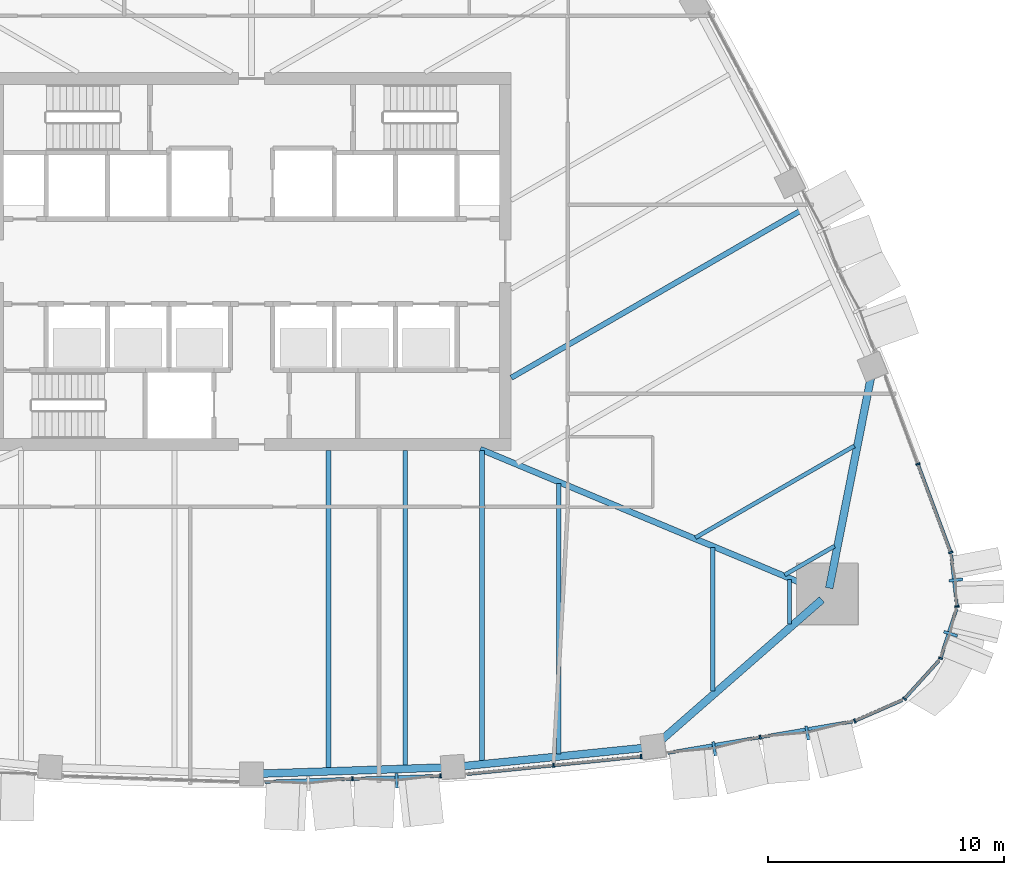
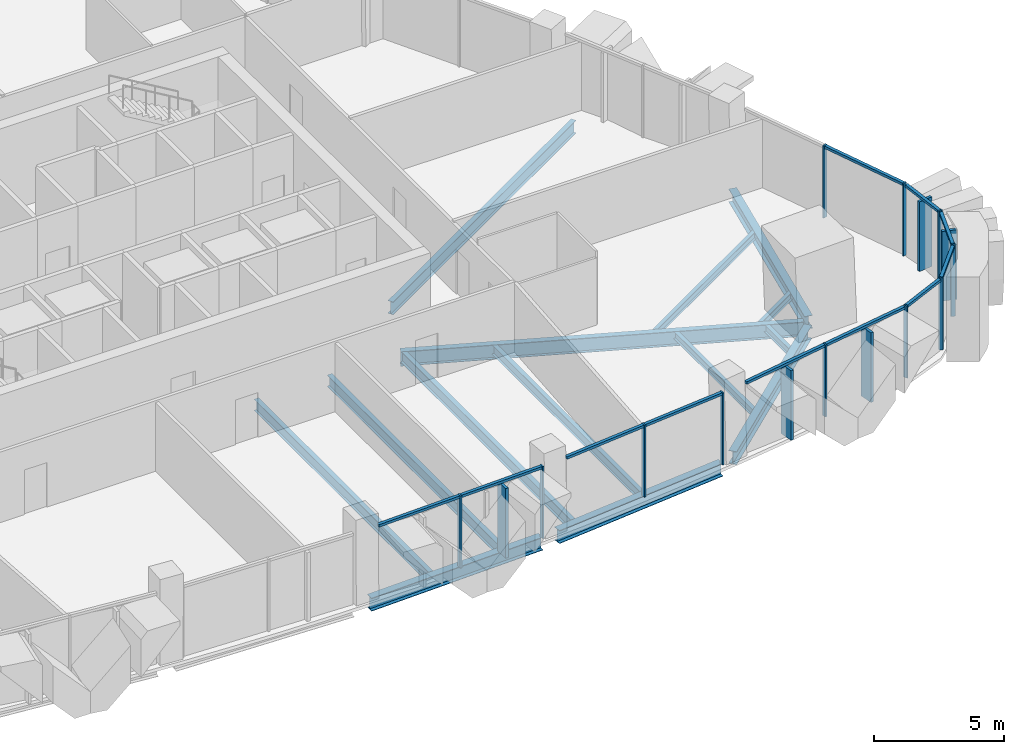
# One storey, part 4 of 17: 27 members, 14 beams, 8 elements without a shape of their own.
"""IFC4 building model written with IfcOpenShell, lengths in metres."""

from ifc_helpers import new_model, si_unit, direction, frame, origin, origin_2d, place, context, subcontext, project, spatial, rectangle, i_section, extrude, material, layer, layer_set, material_profile, profile_set, type_object, element, aggregate, save


model = new_model("IFC4")

# Units and contexts
model_context = context("Model", 3, precision=1e-05, world=origin(), true_north=direction((0.0, 1.0)))
body_context = subcontext(model_context, "Body", "Model", "MODEL_VIEW")
ifc_project = project(units=[si_unit("LENGTHUNIT", "METRE"), si_unit("AREAUNIT", "SQUARE_METRE"), si_unit("VOLUMEUNIT", "CUBIC_METRE"), si_unit("PLANEANGLEUNIT", "RADIAN"), si_unit("MASSUNIT", "GRAM", prefix="KILO")], contexts=[model_context])

# Site, building, storey
site_placement = place(None, origin())
site = spatial("IfcSite", under=ifc_project, at=site_placement, CompositionType="ELEMENT")
building_placement = place(site_placement, origin())
building = spatial("IfcBuilding", under=site, at=building_placement, Name="Sierra Prisma Convention Tower", CompositionType="ELEMENT")
storey_placement = place(building_placement, frame((0.0, 0.0, 149.800048828125)))
storey = spatial("IfcBuildingStorey", under=building, at=storey_placement, Name="L32", CompositionType="ELEMENT", Elevation=149.800048828125)

# Curtain wall, member
ifc_material_1 = material(Name="Aluminium and glass curtain wall", Category="aluminium")
ifc_layer_1 = layer(ifc_material_1, 0.179931640625)
ifc_layer_set_1 = layer_set([ifc_layer_1], Name="CW-2 Faceted crystal curtain wall")
curtain_wall_type_1 = type_object("IfcCurtainWallType", Name="CW-2 Faceted crystal curtain wall", PredefinedType="NOTDEFINED", material=ifc_layer_set_1)
curtain_wall_1_placement = place(storey_placement, origin())
curtain_wall_1 = element("IfcCurtainWall", 1, at=curtain_wall_1_placement, inside=storey, type_object=curtain_wall_type_1, Name="CW-2 S4 L32", PredefinedType="NOTDEFINED")
ifc_material_2 = material(Name="Aluminium 6063-T6 bronze anodised", Category="aluminium")
ifc_material_profile_1 = material_profile(ifc_material_2, rectangle(XDim=0.1201171875, YDim=0.60009765625, at=origin_2d()), Name="ALU RIDGE BLADE 120x600")
ifc_profile_set_1 = profile_set([ifc_material_profile_1], Name="Aluminium 6063-T6 bronze anodised")
member_type_1 = type_object("IfcMemberType", Name="CW hip bronze", PredefinedType="MULLION", material=ifc_profile_set_1)
member_1_placement = place(storey_placement, frame((6.146728515625, -21.99951171875, 0.0), z_axis=(0.0, 0.0, 1.0), x_axis=(0.999435932187, 0.033582993519, 0.0)))
member_1 = element("IfcMember", 2, at=member_1_placement, type_object=member_type_1, Name="CW-2 ridge S4.2", PredefinedType="MULLION", context=body_context, shape_type="SweptSolid", body=[
    extrude(rectangle(XDim=0.1201171875, YDim=0.60009765625, at=origin_2d()), origin(), (0.0, 0.0, 1.0), 3.280029296875),
])

# Curtain wall, members
curtain_wall_2_placement = place(storey_placement, origin())
curtain_wall_2 = element("IfcCurtainWall", 3, at=curtain_wall_2_placement, inside=storey, type_object=curtain_wall_type_1, Name="CW-2 S6 L32", PredefinedType="NOTDEFINED")
member_2_placement = place(storey_placement, frame((19.601318359375, -20.641357421875, 0.0), z_axis=(0.0, 0.0, 1.0), x_axis=(0.985930096799, 0.167158141372, 0.0)))
member_2 = element("IfcMember", 4, at=member_2_placement, type_object=member_type_1, Name="CW-2 ridge S6.1", PredefinedType="MULLION", context=body_context, shape_type="SweptSolid", body=[
    extrude(rectangle(XDim=0.1201171875, YDim=0.60009765625, at=origin_2d()), origin(), (0.0, 0.0, 1.0), 3.280029296875),
])
member_3_placement = place(storey_placement, frame((23.54150390625, -19.973388671875, 0.0), z_axis=(0.0, 0.0, 1.0), x_axis=(0.985930096799, 0.167158141372, 0.0)))
member_3 = element("IfcMember", 5, at=member_3_placement, type_object=member_type_1, Name="CW-2 ridge S6.2", PredefinedType="MULLION", context=body_context, shape_type="SweptSolid", body=[
    extrude(rectangle(XDim=0.1201171875, YDim=0.60009765625, at=origin_2d()), origin(), (0.0, 0.0, 1.0), 3.280029296875),
])

# Curtain wall, member
curtain_wall_3_placement = place(storey_placement, origin())
curtain_wall_3 = element("IfcCurtainWall", 6, at=curtain_wall_3_placement, inside=storey, type_object=curtain_wall_type_1, Name="CW-2 SE3 L32", PredefinedType="NOTDEFINED")
member_4_placement = place(storey_placement, frame((29.61279296875, -15.775146484375, 0.0), z_axis=(0.0, 0.0, 1.0), x_axis=(0.307137186872, 0.951665250201, 0.0)))
member_4 = element("IfcMember", 7, at=member_4_placement, type_object=member_type_1, Name="CW-2 ridge SE3.1", PredefinedType="MULLION", context=body_context, shape_type="SweptSolid", body=[
    extrude(rectangle(XDim=0.1201171875, YDim=0.60009765625, at=origin_2d()), origin(), (0.0, 0.0, 1.0), 3.280029296875),
])

curtain_wall_4_placement = place(storey_placement, origin())
curtain_wall_4 = element("IfcCurtainWall", 8, at=curtain_wall_4_placement, inside=storey, type_object=curtain_wall_type_1, Name="CW-2 SE4 L32", PredefinedType="NOTDEFINED")
member_5_placement = place(storey_placement, frame((29.84326171875, -13.496826171875, 0.0), z_axis=(0.0, 0.0, 1.0), x_axis=(-0.110421860265, 0.993884808605, 0.0)))
member_5 = element("IfcMember", 9, at=member_5_placement, type_object=member_type_1, Name="CW-2 ridge SE4.1", PredefinedType="MULLION", context=body_context, shape_type="SweptSolid", body=[
    extrude(rectangle(XDim=0.1201171875, YDim=0.60009765625, at=origin_2d()), origin(), (0.0, 0.0, 1.0), 3.280029296875),
])

# Member
ifc_material_3 = material(Name="Aluminium 6063-T6 bronze anodised", Category="aluminium")
ifc_material_profile_2 = material_profile(ifc_material_3, rectangle(XDim=0.179931640625, YDim=0.070068359375, at=origin_2d()), Name="ALU MULLION 70x180")
ifc_profile_set_2 = profile_set([ifc_material_profile_2], Name="Aluminium 6063-T6 bronze anodised")
member_type_2 = type_object("IfcMemberType", Name="CW mullion bronze", PredefinedType="MULLION", material=ifc_profile_set_2)
member_6_placement = place(storey_placement, frame((4.272705078125, -21.91796875, 0.0), z_axis=(0.0, 0.0, 1.0), x_axis=(-0.033582993519, 0.999435932187, 0.0)))
member_6 = element("IfcMember", 10, at=member_6_placement, type_object=member_type_2, Name="CW-1 mullion S4.2", PredefinedType="MULLION", context=body_context, shape_type="SweptSolid", body=[
    extrude(rectangle(XDim=0.179931640625, YDim=0.070068359375, at=origin_2d()), origin(), (0.0, 0.0, 1.0), 3.39990234375),
])

member_7_placement = place(storey_placement, frame((8.010986328125, -21.792236328125, 0.0), z_axis=(0.0, 0.0, 1.0), x_axis=(-0.033582993519, 0.999435932187, 0.0)))
member_7 = element("IfcMember", 11, at=member_7_placement, type_object=member_type_2, Name="CW-1 mullion S4.3", PredefinedType="MULLION", context=body_context, shape_type="SweptSolid", body=[
    extrude(rectangle(XDim=0.179931640625, YDim=0.070068359375, at=origin_2d()), origin(), (0.0, 0.0, 1.0), 3.39990234375),
])

# Curtain wall, members
ifc_material_4 = material(Name="Aluminium and glass curtain wall", Category="aluminium")
ifc_layer_2 = layer(ifc_material_4, 0.179931640625)
ifc_layer_set_2 = layer_set([ifc_layer_2], Name="CW-1 Plain shaft curtain wall")
curtain_wall_type_2 = type_object("IfcCurtainWallType", Name="CW-1 Plain shaft curtain wall", PredefinedType="NOTDEFINED", material=ifc_layer_set_2)
curtain_wall_5_placement = place(storey_placement, origin())
curtain_wall_5 = element("IfcCurtainWall", 12, at=curtain_wall_5_placement, inside=storey, type_object=curtain_wall_type_2, Name="CW-1 S5 L32", PredefinedType="NOTDEFINED")
member_8_placement = place(storey_placement, frame((12.795654296875, -21.345458984375, 0.0), z_axis=(0.0, 0.0, 1.0), x_axis=(-0.10059747863, 0.994927207032, 0.0)))
member_8 = element("IfcMember", 13, at=member_8_placement, type_object=member_type_2, Name="CW-1 mullion S5.2", PredefinedType="MULLION", context=body_context, shape_type="SweptSolid", body=[
    extrude(rectangle(XDim=0.179931640625, YDim=0.070068359375, at=origin_2d()), origin(), (0.0, 0.0, 1.0), 3.39990234375),
])
member_9_placement = place(storey_placement, frame((16.5009765625, -20.970703125, 0.0), z_axis=(0.0, 0.0, 1.0), x_axis=(-0.10059747863, 0.994927207032, 0.0)))
member_9 = element("IfcMember", 14, at=member_9_placement, type_object=member_type_2, Name="CW-1 mullion S5.3", PredefinedType="MULLION", context=body_context, shape_type="SweptSolid", body=[
    extrude(rectangle(XDim=0.179931640625, YDim=0.070068359375, at=origin_2d()), origin(), (0.0, 0.0, 1.0), 3.39990234375),
])

# Member
member_10_placement = place(storey_placement, frame((21.545654296875, -20.155029296875, 0.0), z_axis=(0.0, 0.0, 1.0), x_axis=(-0.167158141372, 0.985930096799, 0.0)))
member_10 = element("IfcMember", 15, at=member_10_placement, type_object=member_type_2, Name="CW-1 mullion S6.2", PredefinedType="MULLION", context=body_context, shape_type="SweptSolid", body=[
    extrude(rectangle(XDim=0.179931640625, YDim=0.070068359375, at=origin_2d()), origin(), (0.0, 0.0, 1.0), 3.39990234375),
])

# Curtain wall, member
curtain_wall_6_placement = place(storey_placement, origin())
curtain_wall_6 = element("IfcCurtainWall", 16, at=curtain_wall_6_placement, inside=storey, type_object=curtain_wall_type_2, Name="CW-1 SE1 L32", PredefinedType="NOTDEFINED")
member_11_placement = place(storey_placement, frame((25.552490234375, -19.467041015625, 0.0), z_axis=(0.0, 0.0, 1.0), x_axis=(-0.40131426818, 0.91594042282, 0.0)))
member_11 = element("IfcMember", 17, at=member_11_placement, type_object=member_type_2, Name="CW-1 mullion SE1.1", PredefinedType="MULLION", context=body_context, shape_type="SweptSolid", body=[
    extrude(rectangle(XDim=0.179931640625, YDim=0.070068359375, at=origin_2d()), origin(), (0.0, 0.0, 1.0), 3.39990234375),
])

curtain_wall_7_placement = place(storey_placement, origin())
curtain_wall_7 = element("IfcCurtainWall", 18, at=curtain_wall_7_placement, inside=storey, type_object=curtain_wall_type_2, Name="CW-1 SE2 L32", PredefinedType="NOTDEFINED")
member_12_placement = place(storey_placement, frame((27.6552734375, -18.530029296875, 0.0), z_axis=(0.0, 0.0, 1.0), x_axis=(-0.741821231378, 0.670597689137, 0.0)))
member_12 = element("IfcMember", 19, at=member_12_placement, type_object=member_type_2, Name="CW-1 mullion SE2.1", PredefinedType="MULLION", context=body_context, shape_type="SweptSolid", body=[
    extrude(rectangle(XDim=0.179931640625, YDim=0.070068359375, at=origin_2d()), origin(), (0.0, 0.0, 1.0), 3.39990234375),
])

# Member
member_13_placement = place(storey_placement, frame((29.1884765625, -16.8125, 0.0), z_axis=(0.0, 0.0, 1.0), x_axis=(-0.951665250201, 0.307137186872, 0.0)))
member_13 = element("IfcMember", 20, at=member_13_placement, type_object=member_type_2, Name="CW-1 mullion SE3.1", PredefinedType="MULLION", context=body_context, shape_type="SweptSolid", body=[
    extrude(rectangle(XDim=0.179931640625, YDim=0.070068359375, at=origin_2d()), origin(), (0.0, 0.0, 1.0), 3.39990234375),
])

member_14_placement = place(storey_placement, frame((29.8818359375, -14.6171875, 0.0), z_axis=(0.0, 0.0, 1.0), x_axis=(-0.993884808605, -0.110421860265, 0.0)))
member_14 = element("IfcMember", 21, at=member_14_placement, type_object=member_type_2, Name="CW-1 mullion SE4.1", PredefinedType="MULLION", context=body_context, shape_type="SweptSolid", body=[
    extrude(rectangle(XDim=0.179931640625, YDim=0.070068359375, at=origin_2d()), origin(), (0.0, 0.0, 1.0), 3.39990234375),
])

# Curtain wall, members
curtain_wall_8_placement = place(storey_placement, origin())
curtain_wall_8 = element("IfcCurtainWall", 22, at=curtain_wall_8_placement, inside=storey, type_object=curtain_wall_type_2, Name="CW-1 NE1 L32", PredefinedType="NOTDEFINED")
member_15_placement = place(storey_placement, frame((29.619140625, -12.327880859375, 0.0), z_axis=(0.0, 0.0, 1.0), x_axis=(-0.937419580869, -0.348201851522, 0.0)))
member_15 = element("IfcMember", 23, at=member_15_placement, type_object=member_type_2, Name="CW-1 mullion NE1.1", PredefinedType="MULLION", context=body_context, shape_type="SweptSolid", body=[
    extrude(rectangle(XDim=0.179931640625, YDim=0.070068359375, at=origin_2d()), origin(), (0.0, 0.0, 1.0), 3.39990234375),
])
member_16_placement = place(storey_placement, frame((28.2275390625, -8.58154296875, 0.0), z_axis=(0.0, 0.0, 1.0), x_axis=(-0.937419580869, -0.348201851522, 0.0)))
member_16 = element("IfcMember", 24, at=member_16_placement, type_object=member_type_2, Name="CW-1 mullion NE1.2", PredefinedType="MULLION", context=body_context, shape_type="SweptSolid", body=[
    extrude(rectangle(XDim=0.179931640625, YDim=0.070068359375, at=origin_2d()), origin(), (0.0, 0.0, 1.0), 3.39990234375),
])

# Member
ifc_material_5 = material(Name="Aluminium 6063-T6 bronze anodised", Category="aluminium")
ifc_material_profile_3 = material_profile(ifc_material_5, rectangle(XDim=0.139892578125, YDim=0.1201171875, at=origin_2d()), Name="ALU TRANSOM 120x140")
ifc_profile_set_3 = profile_set([ifc_material_profile_3], Name="Aluminium 6063-T6 bronze anodised")
member_type_3 = type_object("IfcMemberType", Name="CW transom bronze", PredefinedType="USERDEFINED", material=ifc_profile_set_3)
member_17_placement = place(storey_placement, frame((0.569580078125, -22.042236328125, 3.33984375), z_axis=(0.999435640252, 0.033591680421, 0.0), x_axis=(-0.033591680421, 0.999435640252, 0.0)))
member_17 = element("IfcMember", 25, at=member_17_placement, type_object=member_type_3, Name="CW-1 transom S4.1", ObjectType="TRANSOM", PredefinedType="USERDEFINED", context=body_context, shape_type="SweptSolid", body=[
    extrude(rectangle(XDim=0.139892578125, YDim=0.1201171875, at=origin_2d()), origin(), (0.0, 0.0, 1.0), 3.670166015625),
])

member_18_placement = place(storey_placement, frame((4.307861328125, -21.916748046875, 3.33984375), z_axis=(0.999435565186, 0.033593913766, 0.0), x_axis=(-0.033593913766, 0.999435565186, 0.0)))
member_18 = element("IfcMember", 26, at=member_18_placement, type_object=member_type_3, Name="CW-1 transom S4.2", ObjectType="TRANSOM", PredefinedType="USERDEFINED", context=body_context, shape_type="SweptSolid", body=[
    extrude(rectangle(XDim=0.139892578125, YDim=0.1201171875, at=origin_2d()), origin(), (0.0, 0.0, 1.0), 3.669921875),
])

aggregate(curtain_wall_1, [member_6, member_7, member_17, member_18, member_1])

member_19_placement = place(storey_placement, frame((9.125244140625, -21.716552734375, 3.33984375), z_axis=(0.994925441162, 0.100614941874, 0.0), x_axis=(-0.100614941874, 0.994925441162, 0.0)))
member_19 = element("IfcMember", 27, at=member_19_placement, type_object=member_type_3, Name="CW-1 transom S5.1", ObjectType="TRANSOM", PredefinedType="USERDEFINED", context=body_context, shape_type="SweptSolid", body=[
    extrude(rectangle(XDim=0.139892578125, YDim=0.1201171875, at=origin_2d()), origin(), (0.0, 0.0, 1.0), 3.654296875),
])

member_20_placement = place(storey_placement, frame((12.83056640625, -21.341796875, 3.33984375), z_axis=(0.994931451402, 0.100555492201, 0.0), x_axis=(-0.100555492201, 0.994931451402, 0.0)))
member_20 = element("IfcMember", 28, at=member_20_placement, type_object=member_type_3, Name="CW-1 transom S5.2", ObjectType="TRANSOM", PredefinedType="USERDEFINED", context=body_context, shape_type="SweptSolid", body=[
    extrude(rectangle(XDim=0.139892578125, YDim=0.1201171875, at=origin_2d()), origin(), (0.0, 0.0, 1.0), 3.654052734375),
])

aggregate(curtain_wall_5, [member_8, member_9, member_19, member_20])

member_21_placement = place(storey_placement, frame((17.639892578125, -20.817138671875, 3.33984375), z_axis=(0.985933000614, 0.167141013222, 0.0), x_axis=(-0.167141013222, 0.985933000614, 0.0)))
member_21 = element("IfcMember", 29, at=member_21_placement, type_object=member_type_3, Name="CW-1 transom S6.1", ObjectType="TRANSOM", PredefinedType="USERDEFINED", context=body_context, shape_type="SweptSolid", body=[
    extrude(rectangle(XDim=0.139892578125, YDim=0.1201171875, at=origin_2d()), origin(), (0.0, 0.0, 1.0), 3.92626953125),
])

member_22_placement = place(storey_placement, frame((21.580078125, -20.149169921875, 3.33984375), z_axis=(0.985924490322, 0.167191206059, 0.0), x_axis=(-0.167191206059, 0.985924490322, 0.0)))
member_22 = element("IfcMember", 30, at=member_22_placement, type_object=member_type_3, Name="CW-1 transom S6.2", ObjectType="TRANSOM", PredefinedType="USERDEFINED", context=body_context, shape_type="SweptSolid", body=[
    extrude(rectangle(XDim=0.139892578125, YDim=0.1201171875, at=origin_2d()), origin(), (0.0, 0.0, 1.0), 3.926513671875),
])

aggregate(curtain_wall_2, [member_10, member_21, member_2, member_22, member_3])

member_23_placement = place(storey_placement, frame((25.58447265625, -19.452880859375, 3.33984375), z_axis=(0.915942406451, 0.401309740805, 0.0), x_axis=(-0.401309740805, 0.915942406451, 0.0)))
member_23 = element("IfcMember", 31, at=member_23_placement, type_object=member_type_3, Name="CW-1 transom SE1.1", ObjectType="TRANSOM", PredefinedType="USERDEFINED", context=body_context, shape_type="SweptSolid", body=[
    extrude(rectangle(XDim=0.139892578125, YDim=0.1201171875, at=origin_2d()), origin(), (0.0, 0.0, 1.0), 2.1650390625),
])

aggregate(curtain_wall_6, [member_11, member_23])

member_24_placement = place(storey_placement, frame((27.6787109375, -18.50390625, 3.33984375), z_axis=(0.670638712752, 0.741784144451, 0.0), x_axis=(-0.741784144451, 0.670638712752, 0.0)))
member_24 = element("IfcMember", 32, at=member_24_placement, type_object=member_type_3, Name="CW-1 transom SE2.1", ObjectType="TRANSOM", PredefinedType="USERDEFINED", context=body_context, shape_type="SweptSolid", body=[
    extrude(rectangle(XDim=0.139892578125, YDim=0.1201171875, at=origin_2d()), origin(), (0.0, 0.0, 1.0), 2.165283203125),
])

aggregate(curtain_wall_7, [member_12, member_24])

member_25_placement = place(storey_placement, frame((29.19921875, -16.779296875, 3.33984375), z_axis=(0.307114778007, 0.95167248207, 0.0), x_axis=(-0.95167248207, 0.307114778007, 0.0)))
member_25 = element("IfcMember", 33, at=member_25_placement, type_object=member_type_3, Name="CW-1 transom SE3.1", ObjectType="TRANSOM", PredefinedType="USERDEFINED", context=body_context, shape_type="SweptSolid", body=[
    extrude(rectangle(XDim=0.139892578125, YDim=0.1201171875, at=origin_2d()), origin(), (0.0, 0.0, 1.0), 2.16552734375),
])

aggregate(curtain_wall_3, [member_13, member_25, member_4])

member_26_placement = place(storey_placement, frame((29.878173828125, -14.582275390625, 3.33984375), z_axis=(-0.110505783013, 0.993875481094, 0.0), x_axis=(-0.993875481094, -0.110505783013, 0.0)))
member_26 = element("IfcMember", 34, at=member_26_placement, type_object=member_type_3, Name="CW-1 transom SE4.1", ObjectType="TRANSOM", PredefinedType="USERDEFINED", context=body_context, shape_type="SweptSolid", body=[
    extrude(rectangle(XDim=0.139892578125, YDim=0.1201171875, at=origin_2d()), origin(), (0.0, 0.0, 1.0), 2.1650390625),
])

aggregate(curtain_wall_4, [member_14, member_26, member_5])

member_27_placement = place(storey_placement, frame((29.60693359375, -12.295166015625, 3.33984375), z_axis=(-0.348184968516, 0.937425851841, 0.0), x_axis=(-0.937425851841, -0.348184968516, 0.0)))
member_27 = element("IfcMember", 35, at=member_27_placement, type_object=member_type_3, Name="CW-1 transom NE1.1", ObjectType="TRANSOM", PredefinedType="USERDEFINED", context=body_context, shape_type="SweptSolid", body=[
    extrude(rectangle(XDim=0.139892578125, YDim=0.1201171875, at=origin_2d()), origin(), (0.0, 0.0, 1.0), 3.926513671875),
])

aggregate(curtain_wall_8, [member_15, member_16, member_27])

# Beams
ifc_material_6 = material(Name="Steel ASTM A992 Gr 50", Category="steel")
ifc_material_profile_4 = material_profile(ifc_material_6, i_section(OverallWidth=0.172119140625, OverallDepth=0.35791015625, WebThickness=0.0078125, FlangeThickness=0.01318359375, at=origin_2d()), Name="W360x57")
ifc_profile_set_4 = profile_set([ifc_material_profile_4], Name="Steel ASTM A992 Gr 50")
beam_type_1 = type_object("IfcBeamType", Name="Floor joist W360x57", PredefinedType="JOIST", material=ifc_profile_set_4)
beam_1_placement = place(storey_placement, frame((19.53662109375, -18.20703125, -0.3291015625), z_axis=(0.0, 1.0, 0.0), x_axis=(-1.0, 0.0, 0.0)))
element("IfcBeam", 36, at=beam_1_placement, inside=storey, type_object=beam_type_1, Name="Floor joist L32 S14", PredefinedType="JOIST", context=body_context, shape_type="SweptSolid", body=[
    extrude(i_section(OverallWidth=0.172119140625, OverallDepth=0.35791015625, WebThickness=0.0078125, FlangeThickness=0.01318359375, at=origin_2d()), origin(), (0.0, 0.0, 1.0), 6.090087890625),
])
beam_2_placement = place(storey_placement, frame((22.792724609375, -15.35791015625, -0.3291015625), z_axis=(0.0, 1.0, 0.0), x_axis=(-1.0, 0.0, 0.0)))
element("IfcBeam", 37, at=beam_2_placement, inside=storey, type_object=beam_type_1, Name="Floor joist L32 S15", PredefinedType="JOIST", context=body_context, shape_type="SweptSolid", body=[
    extrude(i_section(OverallWidth=0.172119140625, OverallDepth=0.35791015625, WebThickness=0.0078125, FlangeThickness=0.01318359375, at=origin_2d()), origin(), (0.0, 0.0, 1.0), 1.882568359375),
])
beam_3_placement = place(storey_placement, frame((24.69677734375, -12.06005859375, -0.3291015625), z_axis=(-0.866015446554, -0.500017246033, 0.0), x_axis=(0.500017246033, -0.866015446554, 0.0)))
element("IfcBeam", 38, at=beam_3_placement, inside=storey, type_object=beam_type_1, Name="Floor joist L32 NE01", PredefinedType="JOIST", context=body_context, shape_type="SweptSolid", body=[
    extrude(i_section(OverallWidth=0.172119140625, OverallDepth=0.35791015625, WebThickness=0.0078125, FlangeThickness=0.01318359375, at=origin_2d()), origin(), (0.0, 0.0, 1.0), 2.4375),
])
beam_4_placement = place(storey_placement, frame((25.5361328125, -7.815673828125, -0.3291015625), z_axis=(-0.866024989886, -0.500000716893, 0.0), x_axis=(0.500000716893, -0.866024989886, 0.0)))
element("IfcBeam", 39, at=beam_4_placement, inside=storey, type_object=beam_type_1, Name="Floor joist L32 NE02", PredefinedType="JOIST", context=body_context, shape_type="SweptSolid", body=[
    extrude(i_section(OverallWidth=0.172119140625, OverallDepth=0.35791015625, WebThickness=0.0078125, FlangeThickness=0.01318359375, at=origin_2d()), origin(), (0.0, 0.0, 1.0), 7.77197265625),
])
ifc_material_7 = material(Name="Steel ASTM A992 Gr 50", Category="steel")
ifc_material_profile_5 = material_profile(ifc_material_7, i_section(OverallWidth=0.18994140625, OverallDepth=0.45703125, WebThickness=0.009033203125, FlangeThickness=0.014404296875, at=origin_2d()), Name="W460x74")
ifc_profile_set_5 = profile_set([ifc_material_profile_5], Name="Steel ASTM A992 Gr 50")
beam_type_2 = type_object("IfcBeamType", Name="Floor joist W460x74", PredefinedType="JOIST", material=ifc_profile_set_5)
beam_5_placement = place(storey_placement, frame((13.0244140625, -20.857421875, -0.378662109375), z_axis=(0.0, 1.0, 0.0), x_axis=(-1.0, 0.0, 0.0)))
element("IfcBeam", 40, at=beam_5_placement, inside=storey, type_object=beam_type_2, Name="Floor joist L32 S12", PredefinedType="JOIST", context=body_context, shape_type="SweptSolid", body=[
    extrude(i_section(OverallWidth=0.18994140625, OverallDepth=0.45703125, WebThickness=0.009033203125, FlangeThickness=0.014404296875, at=origin_2d()), origin(), (0.0, 0.0, 1.0), 11.457275390625),
])
ifc_material_8 = material(Name="Steel ASTM A992 Gr 50", Category="steel")
ifc_material_profile_6 = material_profile(ifc_material_8, i_section(OverallWidth=0.208984375, OverallDepth=0.532958984375, WebThickness=0.01025390625, FlangeThickness=0.015625, at=origin_2d()), Name="W530x92")
ifc_profile_set_6 = profile_set([ifc_material_profile_6], Name="Steel ASTM A992 Gr 50")
beam_type_3 = type_object("IfcBeamType", Name="Floor joist W530x92", PredefinedType="JOIST", material=ifc_profile_set_6)
beam_6_placement = place(storey_placement, frame((3.256103515625, -21.489501953125, -0.41650390625), z_axis=(0.0, 1.0, 0.0), x_axis=(-1.0, 0.0, 0.0)))
element("IfcBeam", 41, at=beam_6_placement, inside=storey, type_object=beam_type_3, Name="Floor joist L32 S09", PredefinedType="JOIST", context=body_context, shape_type="SweptSolid", body=[
    extrude(i_section(OverallWidth=0.208984375, OverallDepth=0.532958984375, WebThickness=0.01025390625, FlangeThickness=0.015625, at=origin_2d()), origin(), (0.0, 0.0, 1.0), 13.489501953125),
])
beam_7_placement = place(storey_placement, frame((6.51220703125, -21.3798828125, -0.41650390625), z_axis=(0.0, 1.0, 0.0), x_axis=(-1.0, 0.0, 0.0)))
element("IfcBeam", 42, at=beam_7_placement, inside=storey, type_object=beam_type_3, Name="Floor joist L32 S10", PredefinedType="JOIST", context=body_context, shape_type="SweptSolid", body=[
    extrude(i_section(OverallWidth=0.208984375, OverallDepth=0.532958984375, WebThickness=0.01025390625, FlangeThickness=0.015625, at=origin_2d()), origin(), (0.0, 0.0, 1.0), 13.3798828125),
])
beam_8_placement = place(storey_placement, frame((9.768310546875, -21.1865234375, -0.41650390625), z_axis=(0.0, 1.0, 0.0), x_axis=(-1.0, 0.0, 0.0)))
element("IfcBeam", 43, at=beam_8_placement, inside=storey, type_object=beam_type_3, Name="Floor joist L32 S11", PredefinedType="JOIST", context=body_context, shape_type="SweptSolid", body=[
    extrude(i_section(OverallWidth=0.208984375, OverallDepth=0.532958984375, WebThickness=0.01025390625, FlangeThickness=0.015625, at=origin_2d()), origin(), (0.0, 0.0, 1.0), 13.1865234375),
])
ifc_material_9 = material(Name="Steel ASTM A992 Gr 50", Category="steel")
ifc_material_profile_7 = material_profile(ifc_material_9, i_section(OverallWidth=0.22802734375, OverallDepth=0.60302734375, WebThickness=0.010498046875, FlangeThickness=0.014892578125, at=origin_2d()), Name="W610x101")
ifc_profile_set_7 = profile_set([ifc_material_profile_7], Name="Steel ASTM A992 Gr 50")
beam_type_4 = type_object("IfcBeamType", Name="Floor joist W610x101", PredefinedType="JOIST", material=ifc_profile_set_7)
beam_9_placement = place(storey_placement, frame((23.232177734375, 2.133544921875, -0.45166015625), z_axis=(-0.866025258114, -0.500000252309, 0.0), x_axis=(0.500000252309, -0.866025258114, 0.0)))
element("IfcBeam", 44, at=beam_9_placement, inside=storey, type_object=beam_type_4, Name="Floor joist L32 NE05", PredefinedType="JOIST", context=body_context, shape_type="SweptSolid", body=[
    extrude(i_section(OverallWidth=0.22802734375, OverallDepth=0.60302734375, WebThickness=0.010498046875, FlangeThickness=0.014892578125, at=origin_2d()), origin(), (0.0, 0.0, 1.0), 14.12451171875),
])
ifc_material_10 = material(Name="Steel ASTM A992 Gr 50", Category="steel")
ifc_material_profile_8 = material_profile(ifc_material_10, i_section(OverallWidth=0.25390625, OverallDepth=0.68408203125, WebThickness=0.012451171875, FlangeThickness=0.018798828125, at=origin_2d()), Name="W690x140")
ifc_profile_set_8 = profile_set([ifc_material_profile_8], Name="Steel ASTM A992 Gr 50")
beam_type_5 = type_object("IfcBeamType", Name="Radial girder W690x140", PredefinedType="BEAM", material=ifc_profile_set_8)
beam_10_placement = place(storey_placement, frame((24.160888671875, -13.990966796875, -0.491943359375), z_axis=(-0.922912850028, 0.385008923603, 0.0), x_axis=(-0.385008923603, -0.922912850028, 0.0)))
element("IfcBeam", 45, at=beam_10_placement, inside=storey, type_object=beam_type_5, Name="Radial girder L32 SE", PredefinedType="BEAM", context=body_context, shape_type="SweptSolid", body=[
    extrude(i_section(OverallWidth=0.25390625, OverallDepth=0.68408203125, WebThickness=0.012451171875, FlangeThickness=0.018798828125, at=origin_2d()), origin(), (0.0, 0.0, 1.0), 15.680419921875),
])
ifc_material_11 = material(Name="Steel ASTM A992 Gr 50", Category="steel")
ifc_material_profile_9 = material_profile(ifc_material_11, i_section(OverallWidth=0.324951171875, OverallDepth=0.615966796875, WebThickness=0.013916015625, FlangeThickness=0.021484375, at=origin_2d()), Name="W610x174")
ifc_profile_set_9 = profile_set([ifc_material_profile_9], Name="Steel ASTM A992 Gr 50")
beam_type_6 = type_object("IfcBeamType", Name="Spandrel beam W610x174", PredefinedType="BEAM", material=ifc_profile_set_9)
beam_11_placement = place(storey_placement, frame((0.380126953125, -21.69873046875, -0.4580078125), z_axis=(0.999434899796, 0.033613703608, 0.0), x_axis=(-0.033613703608, 0.999434899796, 0.0)))
element("IfcBeam", 46, at=beam_11_placement, inside=storey, type_object=beam_type_6, Name="Spandrel L32-04", PredefinedType="BEAM", context=body_context, shape_type="SweptSolid", body=[
    extrude(i_section(OverallWidth=0.324951171875, OverallDepth=0.615966796875, WebThickness=0.013916015625, FlangeThickness=0.021484375, at=origin_2d()), origin(), (0.0, 0.0, 1.0), 7.77880859375),
])
beam_12_placement = place(storey_placement, frame((8.9130859375, -21.38623046875, -0.4580078125), z_axis=(0.99492815091, 0.100588143076, 0.0), x_axis=(-0.100588143076, 0.99492815091, 0.0)))
element("IfcBeam", 47, at=beam_12_placement, inside=storey, type_object=beam_type_6, Name="Spandrel L32-05", PredefinedType="BEAM", context=body_context, shape_type="SweptSolid", body=[
    extrude(i_section(OverallWidth=0.324951171875, OverallDepth=0.615966796875, WebThickness=0.013916015625, FlangeThickness=0.021484375, at=origin_2d()), origin(), (0.0, 0.0, 1.0), 7.779052734375),
])
beam_13_placement = place(storey_placement, frame((17.391845703125, -20.249755859375, -0.4580078125), z_axis=(0.752580057606, 0.658500764536, 0.0), x_axis=(-0.658500764536, 0.752580057606, 0.0)))
element("IfcBeam", 48, at=beam_13_placement, inside=storey, type_object=beam_type_6, Name="Spandrel L32-06", PredefinedType="BEAM", context=body_context, shape_type="SweptSolid", body=[
    extrude(i_section(OverallWidth=0.324951171875, OverallDepth=0.615966796875, WebThickness=0.013916015625, FlangeThickness=0.021484375, at=origin_2d()), origin(), (0.0, 0.0, 1.0), 8.994384765625),
])
beam_14_placement = place(storey_placement, frame((24.47216796875, -13.83935546875, -0.4580078125), z_axis=(0.193994511256, 0.981002614473, 0.0), x_axis=(-0.981002614473, 0.193994511256, 0.0)))
element("IfcBeam", 49, at=beam_14_placement, inside=storey, type_object=beam_type_6, Name="Spandrel L32-07", PredefinedType="BEAM", context=body_context, shape_type="SweptSolid", body=[
    extrude(i_section(OverallWidth=0.324951171875, OverallDepth=0.615966796875, WebThickness=0.013916015625, FlangeThickness=0.021484375, at=origin_2d()), origin(), (0.0, 0.0, 1.0), 9.074951171875),
])

save(model, "model.ifc")
